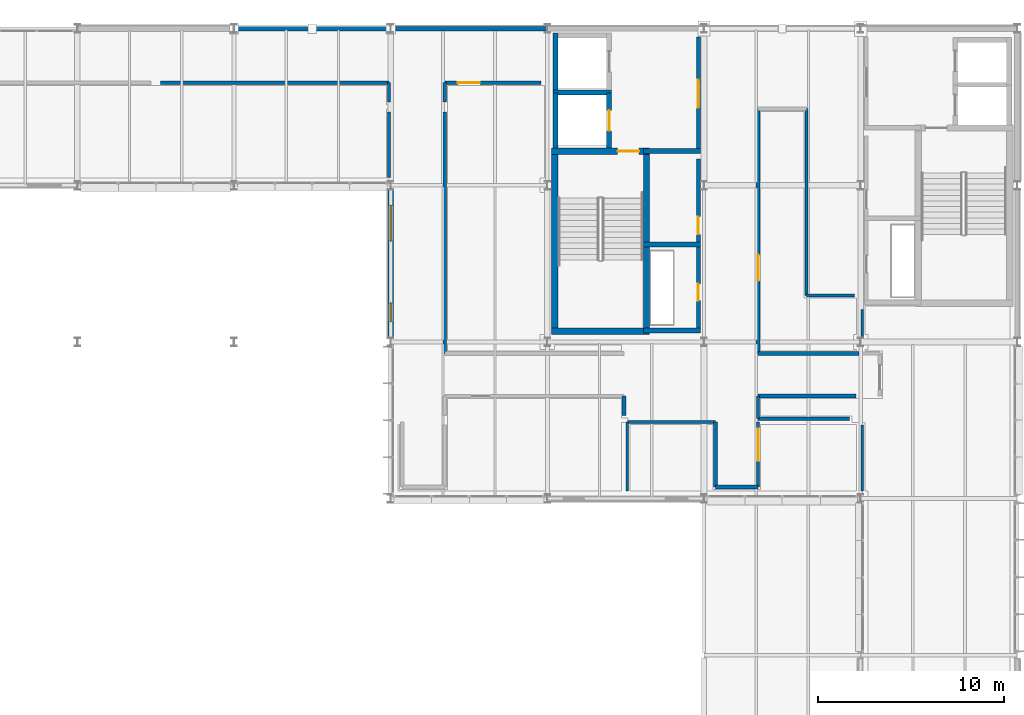
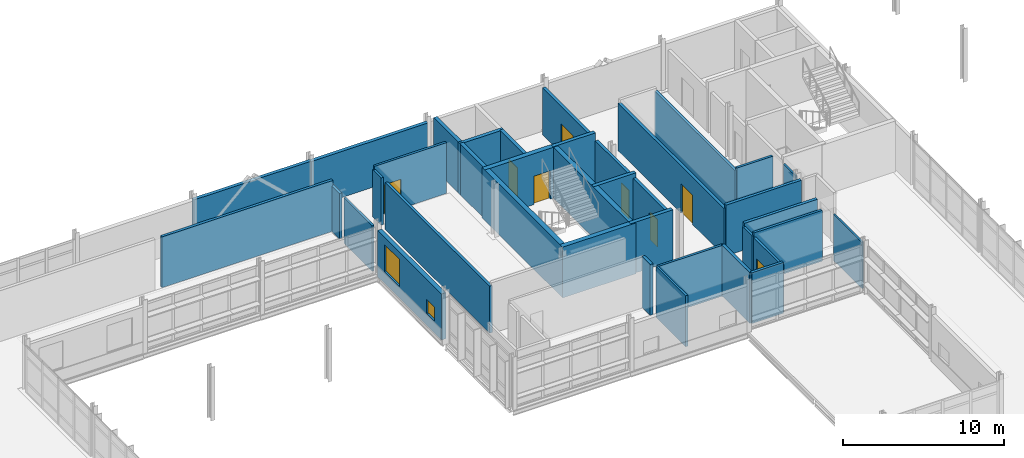
# One storey, part 89 of 103: 38 walls, 8 doors, 2 windows, 10 openings.
"""IFC4 building model written with IfcOpenShell, lengths in metres."""

from ifc_helpers import new_model, si_unit, direction, frame, frame_2d, origin, place, context, subcontext, project, spatial, rectangle, extrude, material, layer, layer_set, type_object, element, fill, save


model = new_model("IFC4")

# Units and contexts
model_context = context("Model", 3, precision=1e-05, world=origin(), true_north=direction((0.0, 1.0)))
body_context = subcontext(model_context, "Body", "Model", "MODEL_VIEW")
ifc_project = project(units=[si_unit("LENGTHUNIT", "METRE"), si_unit("AREAUNIT", "SQUARE_METRE"), si_unit("VOLUMEUNIT", "CUBIC_METRE"), si_unit("PLANEANGLEUNIT", "RADIAN"), si_unit("MASSUNIT", "GRAM", prefix="KILO")], contexts=[model_context])

# Site, building, storey
site_placement = place(None, origin())
site = spatial("IfcSite", under=ifc_project, at=site_placement, CompositionType="ELEMENT")
building_placement = place(site_placement, origin())
building = spatial("IfcBuilding", under=site, at=building_placement, Name="Mersafa Astral City Hall", CompositionType="ELEMENT")
storey_placement = place(building_placement, frame((0.0, 0.0, 18.0)))
storey = spatial("IfcBuildingStorey", under=building, at=storey_placement, Name="L04", CompositionType="ELEMENT", Elevation=18.0)

# Walls
ifc_material_1 = material(Name="Precast concrete C40/50 insulated terracotta spandrel", Category="masonry")
ifc_layer_1 = layer(ifc_material_1, 0.235107421875, Name="Precast concrete C40/50 insulated terracotta spandrel")
ifc_layer_set_1 = layer_set([ifc_layer_1], Name="Precast concrete C40/50 insulated terracotta spandrel — ENV-WAL-EXT-235")
wall_type_1 = type_object("IfcWallType", Name="ENV-WAL-EXT-235", PredefinedType="STANDARD", material=ifc_layer_set_1)
wall_1_placement = place(storey_placement, frame((142.7919921875, 126.0, 0.0), z_axis=(0.0, 0.0, 1.0), x_axis=(-1.0, 0.0, 0.0)))
element("IfcWall", 1, at=wall_1_placement, inside=storey, type_object=wall_type_1, Name="L04 Limestone-clad exterior wall 299", PredefinedType="STANDARD", context=body_context, shape_type="SweptSolid", body=[
    extrude(rectangle(XDim=8.384033203125, YDim=0.235107421875, at=frame_2d((4.19189453125, 0.0))), origin(), (0.0, 0.0, 1.0), 3.52197265625),
])
ifc_layer_2 = layer(ifc_material_1, 0.25, Name="Precast concrete C40/50 insulated terracotta spandrel")
ifc_layer_set_2 = layer_set([ifc_layer_2], Name="Precast concrete C40/50 insulated terracotta spandrel — ENV-WAL-EXT-250")
wall_type_2 = type_object("IfcWallType", Name="ENV-WAL-EXT-250", PredefinedType="STANDARD", material=ifc_layer_set_2)
wall_2_placement = place(storey_placement, frame((151.19189453125, 126.0, 0.0), z_axis=(0.0, 0.0, 1.0), x_axis=(-1.0, 0.0, 0.0)))
element("IfcWall", 2, at=wall_2_placement, inside=storey, type_object=wall_type_2, Name="L04 Limestone-clad exterior wall 298", PredefinedType="STANDARD", context=body_context, shape_type="SweptSolid", body=[
    extrude(rectangle(XDim=8.3837890625, YDim=0.25, at=frame_2d((4.19189453125, 0.0))), origin(), (0.0, 0.0, 1.0), 3.491943359375),
])

# Wall, openings, windows
ifc_material_2 = material(Name="Precast concrete C40/50 insulated limestone wall", Category="masonry")
ifc_layer_3 = layer(ifc_material_2, 0.31005859375, Name="Precast concrete C40/50 insulated limestone wall")
ifc_layer_set_3 = layer_set([ifc_layer_3], Name="Precast concrete C40/50 insulated limestone wall — ENV-WAL-EXT-310")
wall_type_3 = type_object("IfcWallType", Name="ENV-WAL-EXT-310", PredefinedType="STANDARD", material=ifc_layer_set_3)
wall_3_placement = place(storey_placement, frame((142.800048828125, 117.37890625, 0.0), z_axis=(0.0, 0.0, 1.0), x_axis=(0.0, -1.0, 0.0)))
wall_3 = element("IfcWall", 3, at=wall_3_placement, inside=storey, type_object=wall_type_3, Name="L04 Limestone-clad exterior wall 330", PredefinedType="STANDARD", context=body_context, shape_type="SweptSolid", body=[
    extrude(rectangle(XDim=7.9580078125, YDim=0.31005859375, at=frame_2d((3.97900390625, 0.0))), origin(), (0.0, 0.0, 1.0), 3.491943359375),
])
opening_1_placement = place(wall_3_placement, frame((0.85009765625, 0.0, 0.89990234375)))
opening_1 = element("IfcOpeningElement", 4, at=opening_1_placement, cuts=wall_3, Name="Opening W-60", PredefinedType="OPENING", context=body_context, shape_type="SweptSolid", body=[
    extrude(rectangle(XDim=1.919921875, YDim=2.050048828125, at=frame_2d((0.9599609375, 1.02490234375))), frame((0.0, 0.1650390625, 0.0), z_axis=(0.0, -1.0, 0.0), x_axis=(1.0, 0.0, 0.0)), (0.0, 0.0, 1.0), 0.330078125),
])
opening_2_placement = place(wall_3_placement, frame((6.087890625, 0.0, 0.89990234375)))
opening_2 = element("IfcOpeningElement", 5, at=opening_2_placement, cuts=wall_3, Name="Opening W-01", PredefinedType="OPENING", context=body_context, shape_type="SweptSolid", body=[
    extrude(rectangle(XDim=1.02001953125, YDim=1.050048828125, at=frame_2d((0.510009765625, 0.52490234375))), frame((0.0, 0.1650390625, 0.0), z_axis=(0.0, -1.0, 0.0), x_axis=(1.0, 0.0, 0.0)), (0.0, 0.0, 1.0), 0.330078125),
])
ifc_material_3 = material(Name="Solar control low-e double glazing in bronze frame", Category="glass")
window_type_1 = type_object("IfcWindowType", Name="ENV-WIN-W-01", PartitioningType="SINGLE_PANEL", PredefinedType="WINDOW", material=ifc_material_3)
window_1_placement = place(opening_2_placement, origin())
window_1 = element("IfcWindow", 6, at=window_1_placement, inside=storey, type_object=window_type_1, Name="L04 Solar punched window 330-R", OverallHeight=1.050048828125, OverallWidth=1.02001953125, PartitioningType="SINGLE_PANEL", PredefinedType="WINDOW", context=body_context, shape_type="SweptSolid", body=[
    extrude(rectangle(XDim=1.02001953125, YDim=1.050048828125, at=frame_2d((0.510009765625, 0.52490234375))), frame((0.0, 0.030029296875, 0.0), z_axis=(0.0, -1.0, 0.0), x_axis=(1.0, 0.0, 0.0)), (0.0, 0.0, 1.0), 0.06005859375),
])
fill(opening_2, window_1)
window_type_2 = type_object("IfcWindowType", Name="ENV-WIN-W-60", PartitioningType="SINGLE_PANEL", PredefinedType="WINDOW", material=ifc_material_3)
window_2_placement = place(opening_1_placement, origin())
window_2 = element("IfcWindow", 7, at=window_2_placement, inside=storey, type_object=window_type_2, Name="L04 Solar punched window 330-L", OverallHeight=2.050048828125, OverallWidth=1.919921875, PartitioningType="SINGLE_PANEL", PredefinedType="WINDOW", context=body_context, shape_type="SweptSolid", body=[
    extrude(rectangle(XDim=1.919921875, YDim=2.050048828125, at=frame_2d((0.9599609375, 1.02490234375))), frame((0.0, 0.030029296875, 0.0), z_axis=(0.0, -1.0, 0.0), x_axis=(1.0, 0.0, 0.0)), (0.0, 0.0, 1.0), 0.06005859375),
])
fill(opening_1, window_2)

# Walls
ifc_material_4 = material(Name="Concrete C40/50", Category="concrete")
ifc_layer_4 = layer(ifc_material_4, 0.260009765625, Name="Concrete C40/50")
ifc_layer_set_4 = layer_set([ifc_layer_4], Name="Concrete C40/50 — INT-WAL-CORE-260")
wall_type_4 = type_object("IfcWallType", Name="INT-WAL-CORE-260", PredefinedType="SHEAR", material=ifc_layer_set_4)
wall_4_placement = place(storey_placement, frame((151.514892578125, 122.5849609375, 0.0), z_axis=(0.0, 0.0, 1.0), x_axis=(1.0, 0.0, 0.0)))
element("IfcWall", 8, at=wall_4_placement, inside=storey, type_object=wall_type_4, Name="L04 Lift LF1 north shaft wall", PredefinedType="SHEAR", context=body_context, shape_type="SweptSolid", body=[
    extrude(rectangle(XDim=3.130126953125, YDim=0.260009765625, at=frame_2d((1.56494140625, 0.0))), origin(), (0.0, 0.0, 1.0), 3.85009765625),
])
wall_5_placement = place(storey_placement, frame((151.64501953125, 119.596923828125, 0.0), z_axis=(0.0, 0.0, 1.0), x_axis=(0.0, 1.0, 0.0)))
element("IfcWall", 9, at=wall_5_placement, inside=storey, type_object=wall_type_4, Name="L04 Lift LF1 back shaft wall", PredefinedType="SHEAR", context=body_context, shape_type="SweptSolid", body=[
    extrude(rectangle(XDim=2.947998046875, YDim=0.260009765625, at=frame_2d((1.47412109375, 0.0))), origin(), (0.0, 0.0, 1.0), 3.85009765625),
])

# Wall, opening, door
wall_6_placement = place(storey_placement, frame((154.514892578125, 119.596923828125, 0.0), z_axis=(0.0, 0.0, 1.0), x_axis=(0.0, 1.0, 0.0)))
wall_6 = element("IfcWall", 10, at=wall_6_placement, inside=storey, type_object=wall_type_4, Name="L04 Lift LF1 front shaft wall", PredefinedType="SHEAR", context=body_context, shape_type="SweptSolid", body=[
    extrude(rectangle(XDim=2.947998046875, YDim=0.260009765625, at=frame_2d((1.47412109375, 0.0))), origin(), (0.0, 0.0, 1.0), 3.85009765625),
])
opening_3_placement = place(wall_6_placement, frame((0.924072265625, 0.0, 0.0)))
opening_3 = element("IfcOpeningElement", 11, at=opening_3_placement, cuts=wall_6, Name="Opening LD-1", PredefinedType="OPENING", context=body_context, shape_type="SweptSolid", body=[
    extrude(rectangle(XDim=1.10009765625, YDim=2.14990234375, at=frame_2d((0.550048828125, 1.074951171875))), frame((0.0, 0.139892578125, 0.0), z_axis=(0.0, -1.0, 0.0), x_axis=(1.0, 0.0, 0.0)), (0.0, 0.0, 1.0), 0.280029296875),
])
ifc_material_5 = material(Name="Stainless steel sliding lift landing door", Category="steel")
door_type_1 = type_object("IfcDoorType", Name="INT-DR-LIFT-LD1", OperationType="NOTDEFINED", PredefinedType="DOOR", material=ifc_material_5)
door_1_placement = place(opening_3_placement, origin())
door_1 = element("IfcDoor", 12, at=door_1_placement, inside=storey, type_object=door_type_1, Name="Elevator LF1 Sliding Landing Door L04", OperationType="DOUBLE_DOOR_SLIDING", OverallHeight=2.14990234375, OverallWidth=1.10009765625, PredefinedType="DOOR", context=body_context, shape_type="SweptSolid", body=[
    extrude(rectangle(XDim=1.10009765625, YDim=2.14990234375, at=frame_2d((0.550048828125, 1.074951171875))), frame((0.0, 0.02490234375, 0.0), z_axis=(0.0, -1.0, 0.0), x_axis=(1.0, 0.0, 0.0)), (0.0, 0.0, 1.0), 0.050048828125),
])
fill(opening_3, door_1)

# Walls
wall_7_placement = place(storey_placement, frame((151.64501953125, 122.705078125, 0.0), z_axis=(0.0, 0.0, 1.0), x_axis=(0.0, 1.0, 0.0)))
element("IfcWall", 13, at=wall_7_placement, inside=storey, type_object=wall_type_4, Name="L04 Lift LF3 back shaft wall", PredefinedType="SHEAR", context=body_context, shape_type="SweptSolid", body=[
    extrude(rectangle(XDim=3.059814453125, YDim=0.260009765625, at=frame_2d((1.52978515625, 0.0))), origin(), (0.0, 0.0, 1.0), 3.85009765625),
])
for number, where, z_axis, x_axis, name in (
    (14, (156.364990234375, 109.820068359375, 0.0), (0.0, 0.0, 1.0), (1.0, 0.0, 0.0), "L04 Core K1 riser south wall"),
    (15, (156.364990234375, 114.43505859375, 0.0), (0.0, 0.0, 1.0), (1.0, 0.0, 0.0), "L04 Core K1 riser-restroom divider wall"),
    (16, (156.364990234375, 119.43505859375, 0.0), (0.0, 0.0, 1.0), (1.0, 0.0, 0.0), "L04 Core K1 restroom-lobby divider wall"),
):
    element("IfcWall", number, at=place(storey_placement, frame(where, z_axis=z_axis, x_axis=x_axis)), inside=storey, type_object=wall_type_4, Name=name, PredefinedType="SHEAR", context=body_context, shape_type="SweptSolid", body=[
        extrude(rectangle(XDim=3.034912109375, YDim=0.260009765625, at=frame_2d((1.517578125, 0.0))), origin(), (0.0, 0.0, 1.0), 3.85009765625),
    ])
ifc_layer_5 = layer(ifc_material_4, 0.340087890625, Name="Concrete C40/50")
ifc_layer_set_5 = layer_set([ifc_layer_5], Name="Concrete C40/50 — INT-WAL-CORE-340")
wall_type_5 = type_object("IfcWallType", Name="INT-WAL-CORE-340", PredefinedType="SHEAR", material=ifc_layer_set_5)
for number, where, z_axis, x_axis, name in (
    (17, (151.60498046875, 109.60498046875, 0.0), (0.0, 0.0, 1.0), (0.0, 1.0, 0.0), "L04 Core K1 stair west shear wall"),
    (18, (156.514892578125, 109.60498046875, 0.0), (0.0, 0.0, 1.0), (0.0, 1.0, 0.0), "L04 Core K1 stair east shear wall"),
):
    element("IfcWall", number, at=place(storey_placement, frame(where, z_axis=z_axis, x_axis=x_axis)), inside=storey, type_object=wall_type_5, Name=name, PredefinedType="SHEAR", context=body_context, shape_type="SweptSolid", body=[
        extrude(rectangle(XDim=9.989990234375, YDim=0.340087890625, at=frame_2d((4.9951171875, 0.0))), origin(), (0.0, 0.0, 1.0), 3.85009765625),
    ])
wall_8_placement = place(storey_placement, frame((151.43505859375, 109.77490234375, 0.0), z_axis=(0.0, 0.0, 1.0), x_axis=(1.0, 0.0, 0.0)))
element("IfcWall", 19, at=wall_8_placement, inside=storey, type_object=wall_type_5, Name="L04 Core K1 stair south shear wall", PredefinedType="SHEAR", context=body_context, shape_type="SweptSolid", body=[
    extrude(rectangle(XDim=5.25, YDim=0.340087890625, at=frame_2d((2.625, 0.0))), origin(), (0.0, 0.0, 1.0), 3.85009765625),
])

# Wall, opening, door
wall_9_placement = place(storey_placement, frame((151.43505859375, 119.425048828125, 0.0), z_axis=(0.0, 0.0, 1.0), x_axis=(1.0, 0.0, 0.0)))
wall_9 = element("IfcWall", 20, at=wall_9_placement, inside=storey, type_object=wall_type_5, Name="L04 Core K1 stair-lobby fire wall", PredefinedType="SHEAR", context=body_context, shape_type="SweptSolid", body=[
    extrude(rectangle(XDim=5.25, YDim=0.340087890625, at=frame_2d((2.625, 0.0))), origin(), (0.0, 0.0, 1.0), 3.85009765625),
])
opening_4_placement = place(wall_9_placement, frame((3.534912109375, 0.0, 0.0)))
opening_4 = element("IfcOpeningElement", 21, at=opening_4_placement, cuts=wall_9, Name="Opening CD-1", PredefinedType="OPENING", context=body_context, shape_type="SweptSolid", body=[
    extrude(rectangle(XDim=1.14990234375, YDim=2.14990234375, at=frame_2d((0.574951171875, 1.074951171875))), frame((0.0, 0.179931640625, 0.0), z_axis=(0.0, -1.0, 0.0), x_axis=(1.0, 0.0, 0.0)), (0.0, 0.0, 1.0), 0.360107421875),
])
ifc_material_6 = material(Name="Fire-rated steel stair door", Category="steel")
door_type_2 = type_object("IfcDoorType", Name="INT-DR-STAIR-FD90-1150", OperationType="NOTDEFINED", PredefinedType="DOOR", material=ifc_material_6)
door_2_placement = place(opening_4_placement, origin())
door_2 = element("IfcDoor", 22, at=door_2_placement, inside=storey, type_object=door_type_2, Name="L04 Protected Stair ST1 Door", OperationType="SINGLE_SWING_LEFT", OverallHeight=2.14990234375, OverallWidth=1.14990234375, PredefinedType="DOOR", context=body_context, shape_type="SweptSolid", body=[
    extrude(rectangle(XDim=1.14990234375, YDim=2.14990234375, at=frame_2d((0.574951171875, 1.074951171875))), frame((0.0, 0.02490234375, 0.0), z_axis=(0.0, -1.0, 0.0), x_axis=(1.0, 0.0, 0.0)), (0.0, 0.0, 1.0), 0.050048828125),
])
fill(opening_4, door_2)

# Walls
ifc_material_7 = material(Name="Acoustic steel-stud gypsum partition", Category="steel")
ifc_layer_6 = layer(ifc_material_7, 0.1201171875, Name="Acoustic steel-stud gypsum partition")
ifc_layer_set_6 = layer_set([ifc_layer_6], Name="Acoustic steel-stud gypsum partition — INT-WAL-PART-EI30-120")
wall_type_6 = type_object("IfcWallType", Name="INT-WAL-PART-EI30-120", PredefinedType="STANDARD", material=ifc_layer_set_6)
wall_10_placement = place(storey_placement, frame((168.090087890625, 101.2099609375, -0.00390625), z_axis=(0.0, 0.0, 1.0), x_axis=(0.0, 1.0, 0.0)))
element("IfcWall", 23, at=wall_10_placement, inside=storey, type_object=wall_type_6, Name="L04 Interior partition wall 701", PredefinedType="STANDARD", context=body_context, shape_type="SweptSolid", body=[
    extrude(rectangle(XDim=3.530029296875, YDim=0.1201171875, at=frame_2d((1.76513671875, 0.0))), origin(), (0.0, 0.0, 1.0), 3.505859375),
])
wall_11_placement = place(storey_placement, frame((168.090087890625, 109.401611328125, -0.00390625), z_axis=(0.0, 0.0, 1.0), x_axis=(0.0, 1.0, 0.0)))
element("IfcWall", 24, at=wall_11_placement, inside=storey, type_object=wall_type_6, Name="L04 Interior partition wall 707", PredefinedType="STANDARD", context=body_context, shape_type="SweptSolid", body=[
    extrude(rectangle(XDim=1.538330078125, YDim=0.1201171875, at=frame_2d((0.76904296875, 0.0))), origin(), (0.0, 0.0, 1.0), 3.5458984375),
])
ifc_layer_7 = layer(ifc_material_7, 0.14990234375, Name="Acoustic steel-stud gypsum partition")
ifc_layer_set_7 = layer_set([ifc_layer_7], Name="Acoustic steel-stud gypsum partition — INT-WAL-PART-EI30-150")
wall_type_7 = type_object("IfcWallType", Name="INT-WAL-PART-EI30-150", PredefinedType="STANDARD", material=ifc_layer_set_7)
wall_12_placement = place(storey_placement, frame((142.7099609375, 121.5400390625, -0.00390625), z_axis=(0.0, 0.0, 1.0), x_axis=(0.0, -1.0, 0.0)))
element("IfcWall", 25, at=wall_12_placement, inside=storey, type_object=wall_type_7, Name="L04 Interior partition wall 687", PredefinedType="STANDARD", context=body_context, shape_type="SweptSolid", body=[
    extrude(rectangle(XDim=3.52001953125, YDim=0.14990234375, at=frame_2d((1.760009765625, 0.0))), origin(), (0.0, 0.0, 1.0), 3.455810546875),
])
wall_13_placement = place(storey_placement, frame((155.489990234375, 101.219970703125, -0.00390625), z_axis=(0.0, 0.0, 1.0), x_axis=(0.0, 1.0, 0.0)))
element("IfcWall", 26, at=wall_13_placement, inside=storey, type_object=wall_type_7, Name="L04 Interior partition wall 714", PredefinedType="STANDARD", context=body_context, shape_type="SweptSolid", body=[
    extrude(rectangle(XDim=3.68994140625, YDim=0.14990234375, at=frame_2d((1.844970703125, 0.0))), origin(), (0.0, 0.0, 1.0), 3.85400390625),
])

# Wall, opening, door
ifc_material_8 = material(Name="Fire-rated gypsum stud partition", Category="gypsum")
ifc_layer_8 = layer(ifc_material_8, 0.1650390625, Name="Fire-rated gypsum stud partition")
ifc_layer_set_8 = layer_set([ifc_layer_8], Name="Fire-rated gypsum stud partition — INT-WAL-PART-EI60-165")
wall_type_8 = type_object("IfcWallType", Name="INT-WAL-PART-EI60-165", PredefinedType="STANDARD", material=ifc_layer_set_8)
wall_14_placement = place(storey_placement, frame((145.699951171875, 123.10009765625, -0.00390625), z_axis=(0.0, 0.0, 1.0), x_axis=(1.0, 0.0, 0.0)))
wall_14 = element("IfcWall", 27, at=wall_14_placement, inside=storey, type_object=wall_type_8, Name="L04 Interior partition wall 699", PredefinedType="STANDARD", context=body_context, shape_type="SweptSolid", body=[
    extrude(rectangle(XDim=5.16015625, YDim=0.1650390625, at=frame_2d((2.580078125, 0.0))), origin(), (0.0, 0.0, 1.0), 3.85400390625),
])
opening_5_placement = place(wall_14_placement, frame((0.699951171875, 0.0, 0.0)))
opening_5 = element("IfcOpeningElement", 28, at=opening_5_placement, cuts=wall_14, Name="Opening D-23", PredefinedType="OPENING", context=body_context, shape_type="SweptSolid", body=[
    extrude(rectangle(XDim=1.179931640625, YDim=2.219970703125, at=frame_2d((0.58984375, 1.10986328125))), frame((0.0, 0.092529296875, 0.0), z_axis=(0.0, -1.0, 0.0), x_axis=(1.0, 0.0, 0.0)), (0.0, 0.0, 1.0), 0.18505859375),
])
ifc_material_9 = material(Name="Cedar veneered acoustic fire-rated timber door", Category="wood")
door_type_3 = type_object("IfcDoorType", Name="INT-DR-RM-D-23", OperationType="NOTDEFINED", PredefinedType="DOOR", material=ifc_material_9)
door_3_placement = place(opening_5_placement, origin())
door_3 = element("IfcDoor", 29, at=door_3_placement, inside=storey, type_object=door_type_3, Name="L04 Public Works Engineering Office L04-04 Entrance Door", OperationType="SINGLE_SWING_LEFT", OverallHeight=2.219970703125, OverallWidth=1.179931640625, PredefinedType="DOOR", context=body_context, shape_type="SweptSolid", body=[
    extrude(rectangle(XDim=1.179931640625, YDim=2.219970703125, at=frame_2d((0.58984375, 1.10986328125))), frame((0.0, 0.02490234375, 0.0), z_axis=(0.0, -1.0, 0.0), x_axis=(1.0, 0.0, 0.0)), (0.0, 0.0, 1.0), 0.050048828125),
])
fill(opening_5, door_3)

# Walls
wall_15_placement = place(storey_placement, frame((162.5, 105.090087890625, -0.00390625), z_axis=(0.0, 0.0, 1.0), x_axis=(0.0, 1.0, 0.0)))
element("IfcWall", 30, at=wall_15_placement, inside=storey, type_object=wall_type_8, Name="L04 Interior partition wall 703", PredefinedType="STANDARD", context=body_context, shape_type="SweptSolid", body=[
    extrude(rectangle(XDim=1.2099609375, YDim=0.1650390625, at=frame_2d((0.60498046875, 0.0))), origin(), (0.0, 0.0, 1.0), 3.5859375),
])
wall_16_placement = place(storey_placement, frame((165.10009765625, 111.699951171875, -0.00390625), z_axis=(0.0, 0.0, 1.0), x_axis=(1.0, 0.0, 0.0)))
element("IfcWall", 31, at=wall_16_placement, inside=storey, type_object=wall_type_8, Name="L04 Interior partition wall 711", PredefinedType="STANDARD", context=body_context, shape_type="SweptSolid", body=[
    extrude(rectangle(XDim=2.559814453125, YDim=0.1650390625, at=frame_2d((1.27978515625, 0.0))), origin(), (0.0, 0.0, 1.0), 3.85400390625),
])
wall_17_placement = place(storey_placement, frame((155.489990234375, 104.909912109375, -0.00390625), z_axis=(0.0, 0.0, 1.0), x_axis=(1.0, 0.0, 0.0)))
element("IfcWall", 32, at=wall_17_placement, inside=storey, type_object=wall_type_8, Name="L04 Interior partition wall 715", PredefinedType="STANDARD", context=body_context, shape_type="SweptSolid", body=[
    extrude(rectangle(XDim=4.72998046875, YDim=0.1650390625, at=frame_2d((2.364990234375, 0.0))), origin(), (0.0, 0.0, 1.0), 3.85400390625),
])
ifc_material_10 = material(Name="Acoustic twin-stud gypsum partition", Category="gypsum")
ifc_layer_9 = layer(ifc_material_10, 0.179931640625, Name="Acoustic twin-stud gypsum partition")
ifc_layer_set_9 = layer_set([ifc_layer_9], Name="Acoustic twin-stud gypsum partition — INT-WAL-PART-EI60-180")
wall_type_9 = type_object("IfcWallType", Name="INT-WAL-PART-EI60-180", PredefinedType="STANDARD", material=ifc_layer_set_9)
wall_18_placement = place(storey_placement, frame((142.7099609375, 123.10009765625, -0.00390625), z_axis=(0.0, 0.0, 1.0), x_axis=(0.0, -1.0, 0.0)))
element("IfcWall", 33, at=wall_18_placement, inside=storey, type_object=wall_type_9, Name="L04 Interior partition wall 686", PredefinedType="STANDARD", context=body_context, shape_type="SweptSolid", body=[
    extrude(rectangle(XDim=1.0400390625, YDim=0.179931640625, at=frame_2d((0.52001953125, 0.0))), origin(), (0.0, 0.0, 1.0), 3.455810546875),
])
wall_19_placement = place(storey_placement, frame((145.699951171875, 122.06005859375, -0.00390625), z_axis=(0.0, 0.0, 1.0), x_axis=(0.0, 1.0, 0.0)))
element("IfcWall", 34, at=wall_19_placement, inside=storey, type_object=wall_type_9, Name="L04 Interior partition wall 698", PredefinedType="STANDARD", context=body_context, shape_type="SweptSolid", body=[
    extrude(rectangle(XDim=1.0400390625, YDim=0.179931640625, at=frame_2d((0.52001953125, 0.0))), origin(), (0.0, 0.0, 1.0), 3.5859375),
])
wall_20_placement = place(storey_placement, frame((167.389892578125, 105.090087890625, -0.00390625), z_axis=(0.0, 0.0, 1.0), x_axis=(-1.0, 0.0, 0.0)))
element("IfcWall", 35, at=wall_20_placement, inside=storey, type_object=wall_type_9, Name="L04 Interior partition wall 702", PredefinedType="STANDARD", context=body_context, shape_type="SweptSolid", body=[
    extrude(rectangle(XDim=4.889892578125, YDim=0.179931640625, at=frame_2d((2.44482421875, 0.0))), origin(), (0.0, 0.0, 1.0), 3.85400390625),
])
wall_21_placement = place(storey_placement, frame((165.10009765625, 121.7099609375, -0.00390625), z_axis=(0.0, 0.0, 1.0), x_axis=(0.0, -1.0, 0.0)))
element("IfcWall", 36, at=wall_21_placement, inside=storey, type_object=wall_type_9, Name="L04 Interior partition wall 710", PredefinedType="STANDARD", context=body_context, shape_type="SweptSolid", body=[
    extrude(rectangle(XDim=10.010009765625, YDim=0.179931640625, at=frame_2d((5.0048828125, 0.0))), origin(), (0.0, 0.0, 1.0), 3.615966796875),
])

# Wall, opening, door
wall_22_placement = place(storey_placement, frame((162.5, 101.419921875, -0.00390625), z_axis=(0.0, 0.0, 1.0), x_axis=(0.0, 1.0, 0.0)))
wall_22 = element("IfcWall", 37, at=wall_22_placement, inside=storey, type_object=wall_type_9, Name="L04 Interior partition wall 718", PredefinedType="STANDARD", context=body_context, shape_type="SweptSolid", body=[
    extrude(rectangle(XDim=3.489990234375, YDim=0.179931640625, at=frame_2d((1.7451171875, 0.0))), origin(), (0.0, 0.0, 1.0), 3.5859375),
])
opening_6_placement = place(wall_22_placement, frame((1.409912109375, 0.0, 0.0)))
opening_6 = element("IfcOpeningElement", 38, at=opening_6_placement, cuts=wall_22, Name="Opening D-27", PredefinedType="OPENING", context=body_context, shape_type="SweptSolid", body=[
    extrude(rectangle(XDim=1.719970703125, YDim=2.219970703125, at=frame_2d((0.85986328125, 1.10986328125))), frame((0.0, 0.099853515625, 0.0), z_axis=(0.0, -1.0, 0.0), x_axis=(1.0, 0.0, 0.0)), (0.0, 0.0, 1.0), 0.199951171875),
])
door_type_4 = type_object("IfcDoorType", Name="INT-DR-RM-D-27", OperationType="NOTDEFINED", PredefinedType="DOOR", material=ifc_material_9)
door_4_placement = place(opening_6_placement, origin())
door_4 = element("IfcDoor", 39, at=door_4_placement, inside=storey, type_object=door_type_4, Name="L04 Public Restroom L04-08 Entrance Door", OperationType="SINGLE_SWING_LEFT", OverallHeight=2.219970703125, OverallWidth=1.719970703125, PredefinedType="DOOR", context=body_context, shape_type="SweptSolid", body=[
    extrude(rectangle(XDim=1.719970703125, YDim=2.219970703125, at=frame_2d((0.85986328125, 1.10986328125))), frame((0.0, 0.02490234375, 0.0), z_axis=(0.0, -1.0, 0.0), x_axis=(1.0, 0.0, 0.0)), (0.0, 0.0, 1.0), 0.050048828125),
])
fill(opening_6, door_4)

# Walls
ifc_layer_10 = layer(ifc_material_10, 0.195068359375, Name="Acoustic twin-stud gypsum partition")
ifc_layer_set_10 = layer_set([ifc_layer_10], Name="Acoustic twin-stud gypsum partition — INT-WAL-PART-EI60-195")
wall_type_10 = type_object("IfcWallType", Name="INT-WAL-PART-EI60-195", PredefinedType="STANDARD", material=ifc_layer_set_10)
wall_23_placement = place(storey_placement, frame((130.4599609375, 123.10009765625, -0.00390625), z_axis=(0.0, 0.0, 1.0), x_axis=(1.0, 0.0, 0.0)))
element("IfcWall", 40, at=wall_23_placement, inside=storey, type_object=wall_type_10, Name="L04 Interior partition wall 685", PredefinedType="STANDARD", context=body_context, shape_type="SweptSolid", body=[
    extrude(rectangle(XDim=12.25, YDim=0.195068359375, at=frame_2d((6.125, 0.0))), origin(), (0.0, 0.0, 1.0), 3.85400390625),
])
wall_24_placement = place(storey_placement, frame((145.699951171875, 108.580078125, -0.00390625), z_axis=(0.0, 0.0, 1.0), x_axis=(0.0, 1.0, 0.0)))
element("IfcWall", 41, at=wall_24_placement, inside=storey, type_object=wall_type_10, Name="L04 Interior partition wall 697", PredefinedType="STANDARD", context=body_context, shape_type="SweptSolid", body=[
    extrude(rectangle(XDim=12.9599609375, YDim=0.195068359375, at=frame_2d((6.47998046875, 0.0))), origin(), (0.0, 0.0, 1.0), 3.555908203125),
])
wall_25_placement = place(storey_placement, frame((160.219970703125, 101.419921875, -0.00390625), z_axis=(0.0, 0.0, 1.0), x_axis=(1.0, 0.0, 0.0)))
element("IfcWall", 42, at=wall_25_placement, inside=storey, type_object=wall_type_10, Name="L04 Interior partition wall 717", PredefinedType="STANDARD", context=body_context, shape_type="SweptSolid", body=[
    extrude(rectangle(XDim=2.280029296875, YDim=0.195068359375, at=frame_2d((1.14013671875, 0.0))), origin(), (0.0, 0.0, 1.0), 3.85400390625),
])

# Wall, opening, door
ifc_material_11 = material(Name="Autoclaved aerated concrete blockwork plastered", Category="masonry")
ifc_layer_11 = layer(ifc_material_11, 0.2099609375, Name="Autoclaved aerated concrete blockwork plastered")
ifc_layer_set_11 = layer_set([ifc_layer_11], Name="Autoclaved aerated concrete blockwork plastered — INT-WAL-PART-EI60-210")
wall_type_11 = type_object("IfcWallType", Name="INT-WAL-PART-EI60-210", PredefinedType="STANDARD", material=ifc_layer_set_11)
wall_26_placement = place(storey_placement, frame((159.300048828125, 109.820068359375, 0.0), z_axis=(0.0, 0.0, 1.0), x_axis=(0.0, 1.0, 0.0)))
wall_26 = element("IfcWall", 43, at=wall_26_placement, inside=storey, type_object=wall_type_11, Name="L04 Core K1 riser corridor partition", PredefinedType="STANDARD", context=body_context, shape_type="SweptSolid", body=[
    extrude(rectangle(XDim=4.58984375, YDim=0.2099609375, at=frame_2d((2.294921875, 0.0))), origin(), (0.0, 0.0, 1.0), 3.501953125),
])
opening_7_placement = place(wall_26_placement, frame((1.60009765625, 0.0, 0.0)))
opening_7 = element("IfcOpeningElement", 44, at=opening_7_placement, cuts=wall_26, Name="Opening CD-5", PredefinedType="OPENING", context=body_context, shape_type="SweptSolid", body=[
    extrude(rectangle(XDim=0.89990234375, YDim=2.10009765625, at=frame_2d((0.449951171875, 1.050048828125))), frame((0.0, 0.114990234375, 0.0), z_axis=(0.0, -1.0, 0.0), x_axis=(1.0, 0.0, 0.0)), (0.0, 0.0, 1.0), 0.22998046875),
])
ifc_material_12 = material(Name="Fire-rated steel riser access door", Category="steel")
door_type_5 = type_object("IfcDoorType", Name="INT-DR-RISER-FD60-900", OperationType="NOTDEFINED", PredefinedType="DOOR", material=ifc_material_12)
door_5_placement = place(opening_7_placement, origin())
door_5 = element("IfcDoor", 45, at=door_5_placement, inside=storey, type_object=door_type_5, Name="L04 K1 MEP Riser Access Door", OperationType="SINGLE_SWING_RIGHT", OverallHeight=2.10009765625, OverallWidth=0.89990234375, PredefinedType="DOOR", context=body_context, shape_type="SweptSolid", body=[
    extrude(rectangle(XDim=0.89990234375, YDim=2.10009765625, at=frame_2d((0.449951171875, 1.050048828125))), frame((0.0, 0.02490234375, 0.0), z_axis=(0.0, -1.0, 0.0), x_axis=(1.0, 0.0, 0.0)), (0.0, 0.0, 1.0), 0.050048828125),
])
fill(opening_7, door_5)

wall_27_placement = place(storey_placement, frame((159.300048828125, 114.52001953125, 0.0), z_axis=(0.0, 0.0, 1.0), x_axis=(0.0, 1.0, 0.0)))
wall_27 = element("IfcWall", 46, at=wall_27_placement, inside=storey, type_object=wall_type_11, Name="L04 Core K1 accessible WC corridor partition", PredefinedType="STANDARD", context=body_context, shape_type="SweptSolid", body=[
    extrude(rectangle(XDim=4.47998046875, YDim=0.2099609375, at=frame_2d((2.239990234375, 0.0))), origin(), (0.0, 0.0, 1.0), 3.501953125),
])
opening_8_placement = place(wall_27_placement, frame((0.449951171875, 0.0, 0.0)))
opening_8 = element("IfcOpeningElement", 47, at=opening_8_placement, cuts=wall_27, Name="Opening CD-4", PredefinedType="OPENING", context=body_context, shape_type="SweptSolid", body=[
    extrude(rectangle(XDim=0.949951171875, YDim=2.14990234375, at=frame_2d((0.47509765625, 1.074951171875))), frame((0.0, 0.114990234375, 0.0), z_axis=(0.0, -1.0, 0.0), x_axis=(1.0, 0.0, 0.0)), (0.0, 0.0, 1.0), 0.22998046875),
])
ifc_material_13 = material(Name="Accessible timber acoustic WC door", Category="wood")
door_type_6 = type_object("IfcDoorType", Name="INT-DR-WC-FD30-950", OperationType="NOTDEFINED", PredefinedType="DOOR", material=ifc_material_13)
door_6_placement = place(opening_8_placement, origin())
door_6 = element("IfcDoor", 48, at=door_6_placement, inside=storey, type_object=door_type_6, Name="L04 K1 Accessible Restroom Door", OperationType="SINGLE_SWING_LEFT", OverallHeight=2.14990234375, OverallWidth=0.949951171875, PredefinedType="DOOR", context=body_context, shape_type="SweptSolid", body=[
    extrude(rectangle(XDim=0.949951171875, YDim=2.14990234375, at=frame_2d((0.47509765625, 1.074951171875))), frame((0.0, 0.02490234375, 0.0), z_axis=(0.0, -1.0, 0.0), x_axis=(1.0, 0.0, 0.0)), (0.0, 0.0, 1.0), 0.050048828125),
])
fill(opening_8, door_6)

wall_28_placement = place(storey_placement, frame((159.300048828125, 119.43994140625, 0.0), z_axis=(0.0, 0.0, 1.0), x_axis=(0.0, 1.0, 0.0)))
wall_28 = element("IfcWall", 49, at=wall_28_placement, inside=storey, type_object=wall_type_11, Name="L04 Core K1 lobby corridor partition", PredefinedType="STANDARD", context=body_context, shape_type="SweptSolid", body=[
    extrude(rectangle(XDim=6.1201171875, YDim=0.2099609375, at=frame_2d((3.06005859375, 0.0))), origin(), (0.0, 0.0, 1.0), 3.5419921875),
])
opening_9_placement = place(wall_28_placement, frame((2.31005859375, 0.0, 0.0)))
opening_9 = element("IfcOpeningElement", 50, at=opening_9_placement, cuts=wall_28, Name="Opening CD-3", PredefinedType="OPENING", context=body_context, shape_type="SweptSolid", body=[
    extrude(rectangle(XDim=1.5, YDim=2.199951171875, at=frame_2d((0.75, 1.10009765625))), frame((0.0, 0.114990234375, 0.0), z_axis=(0.0, -1.0, 0.0), x_axis=(1.0, 0.0, 0.0)), (0.0, 0.0, 1.0), 0.22998046875),
])
ifc_material_14 = material(Name="Fire-rated glazed lobby door pair", Category="metal")
door_type_7 = type_object("IfcDoorType", Name="INT-DR-LOBBY-FD90-1500", OperationType="NOTDEFINED", PredefinedType="DOOR", material=ifc_material_14)
door_7_placement = place(opening_9_placement, origin())
door_7 = element("IfcDoor", 51, at=door_7_placement, inside=storey, type_object=door_type_7, Name="L04 K1 Lift Lobby Fire Door", OperationType="DOUBLE_DOOR_SINGLE_SWING", OverallHeight=2.199951171875, OverallWidth=1.5, PredefinedType="DOOR", context=body_context, shape_type="SweptSolid", body=[
    extrude(rectangle(XDim=1.5, YDim=2.199951171875, at=frame_2d((0.75, 1.10009765625))), frame((0.0, 0.02490234375, 0.0), z_axis=(0.0, -1.0, 0.0), x_axis=(1.0, 0.0, 0.0)), (0.0, 0.0, 1.0), 0.050048828125),
])
fill(opening_9, door_7)

# Wall
wall_29_placement = place(storey_placement, frame((162.5, 106.300048828125, -0.00390625), z_axis=(0.0, 0.0, 1.0), x_axis=(1.0, 0.0, 0.0)))
element("IfcWall", 52, at=wall_29_placement, inside=storey, type_object=wall_type_11, Name="L04 Interior partition wall 704", PredefinedType="STANDARD", context=body_context, shape_type="SweptSolid", body=[
    extrude(rectangle(XDim=5.239990234375, YDim=0.2099609375, at=frame_2d((2.6201171875, 0.0))), origin(), (0.0, 0.0, 1.0), 3.85400390625),
])

# Wall, opening, door
wall_30_placement = place(storey_placement, frame((162.5, 108.580078125, -0.00390625), z_axis=(0.0, 0.0, 1.0), x_axis=(0.0, 1.0, 0.0)))
wall_30 = element("IfcWall", 53, at=wall_30_placement, inside=storey, type_object=wall_type_11, Name="L04 Interior partition wall 708", PredefinedType="STANDARD", context=body_context, shape_type="SweptSolid", body=[
    extrude(rectangle(XDim=13.1298828125, YDim=0.2099609375, at=frame_2d((6.56494140625, 0.0))), origin(), (0.0, 0.0, 1.0), 3.5859375),
])
opening_10_placement = place(wall_30_placement, frame((3.8955078125, 0.0, 0.0)))
opening_10 = element("IfcOpeningElement", 54, at=opening_10_placement, cuts=wall_30, Name="Opening D-25", PredefinedType="OPENING", context=body_context, shape_type="SweptSolid", body=[
    extrude(rectangle(XDim=1.39990234375, YDim=2.219970703125, at=frame_2d((0.699951171875, 1.10986328125))), frame((0.0, 0.114990234375, 0.0), z_axis=(0.0, -1.0, 0.0), x_axis=(1.0, 0.0, 0.0)), (0.0, 0.0, 1.0), 0.22998046875),
])
door_type_8 = type_object("IfcDoorType", Name="INT-DR-RM-D-25", OperationType="NOTDEFINED", PredefinedType="DOOR", material=ifc_material_9)
door_8_placement = place(opening_10_placement, origin())
door_8 = element("IfcDoor", 55, at=door_8_placement, inside=storey, type_object=door_type_8, Name="L04 Departmental Conference Room L04-06 Entrance Door", OperationType="SINGLE_SWING_LEFT", OverallHeight=2.219970703125, OverallWidth=1.39990234375, PredefinedType="DOOR", context=body_context, shape_type="SweptSolid", body=[
    extrude(rectangle(XDim=1.39990234375, YDim=2.219970703125, at=frame_2d((0.699951171875, 1.10986328125))), frame((0.0, 0.02490234375, 0.0), z_axis=(0.0, -1.0, 0.0), x_axis=(1.0, 0.0, 0.0)), (0.0, 0.0, 1.0), 0.050048828125),
])
fill(opening_10, door_8)

# Walls
wall_31_placement = place(storey_placement, frame((167.909912109375, 108.580078125, -0.00390625), z_axis=(0.0, 0.0, 1.0), x_axis=(-1.0, 0.0, 0.0)))
element("IfcWall", 56, at=wall_31_placement, inside=storey, type_object=wall_type_11, Name="L04 Interior partition wall 712", PredefinedType="STANDARD", context=body_context, shape_type="SweptSolid", body=[
    extrude(rectangle(XDim=5.409912109375, YDim=0.2099609375, at=frame_2d((2.705078125, 0.0))), origin(), (0.0, 0.0, 1.0), 3.85400390625),
])
wall_32_placement = place(storey_placement, frame((160.219970703125, 104.909912109375, -0.00390625), z_axis=(0.0, 0.0, 1.0), x_axis=(0.0, -1.0, 0.0)))
element("IfcWall", 57, at=wall_32_placement, inside=storey, type_object=wall_type_11, Name="L04 Interior partition wall 716", PredefinedType="STANDARD", context=body_context, shape_type="SweptSolid", body=[
    extrude(rectangle(XDim=3.489990234375, YDim=0.2099609375, at=frame_2d((1.7451171875, 0.0))), origin(), (0.0, 0.0, 1.0), 3.85400390625),
])
wall_33_placement = place(storey_placement, frame((155.31005859375, 106.300048828125, -0.00390625), z_axis=(0.0, 0.0, 1.0), x_axis=(0.0, -1.0, 0.0)))
element("IfcWall", 58, at=wall_33_placement, inside=storey, type_object=wall_type_11, Name="L04 Interior partition wall 724", PredefinedType="STANDARD", context=body_context, shape_type="SweptSolid", body=[
    extrude(rectangle(XDim=1.0400390625, YDim=0.2099609375, at=frame_2d((0.52001953125, 0.0))), origin(), (0.0, 0.0, 1.0), 3.85400390625),
])

save(model, "model.ifc")
